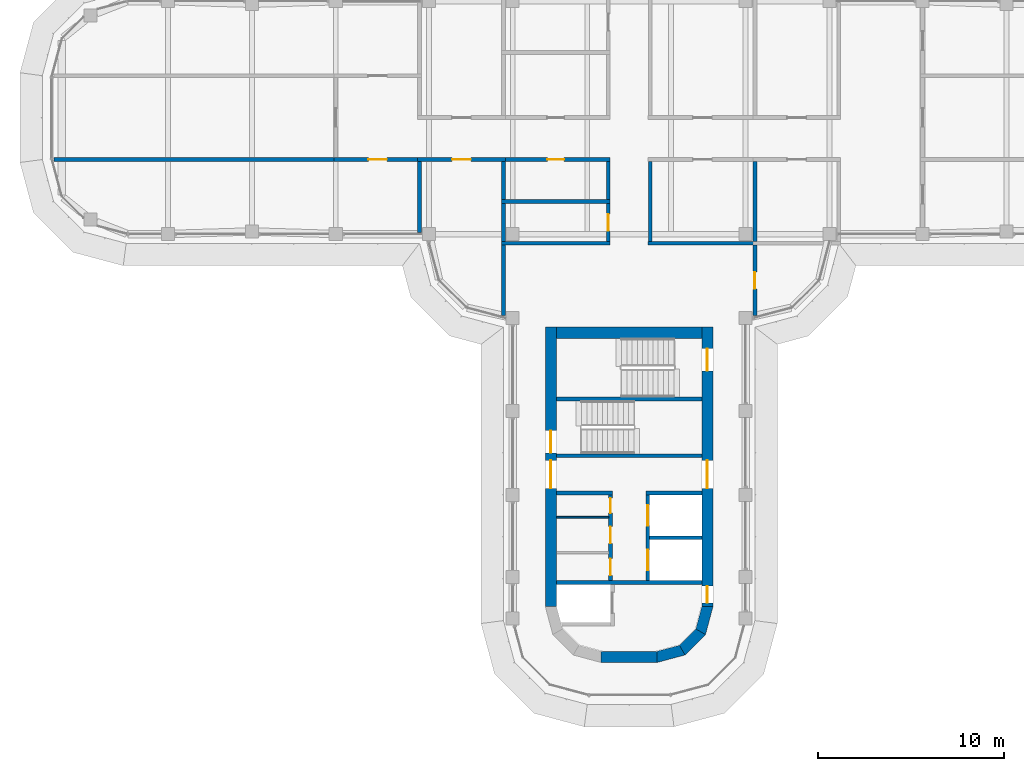
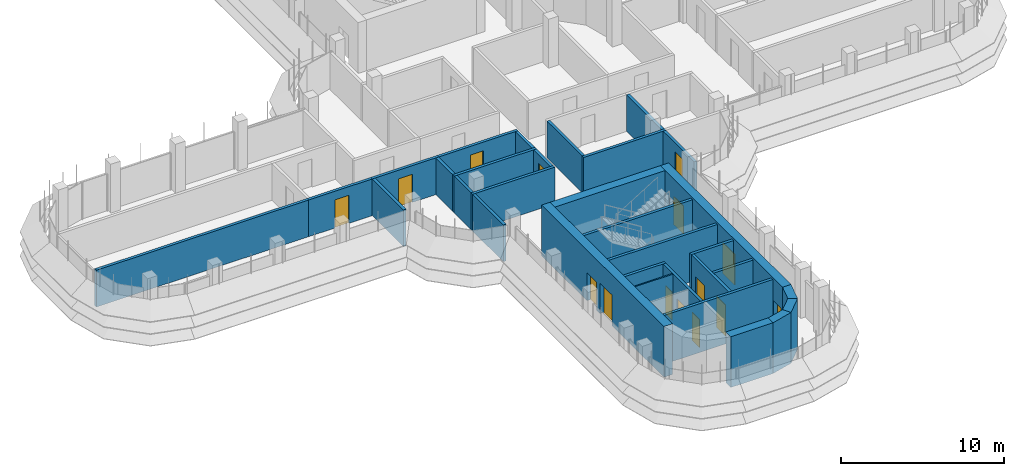
# One storey, part 13 of 19: 32 walls, 15 doors, 15 openings.
"""IFC4 building model written with IfcOpenShell, lengths in metres."""

from ifc_helpers import new_model, si_unit, direction, frame, frame_2d, origin, place, context, subcontext, project, spatial, polyline, rectangle, outline, extrude, material, layer, layer_set, type_object, element, fill, save


model = new_model("IFC4")

# Units and contexts
model_context = context("Model", 3, precision=1e-05, world=origin(), true_north=direction((0.0, 1.0)))
body_context = subcontext(model_context, "Body", "Model", "MODEL_VIEW")
ifc_project = project(units=[si_unit("LENGTHUNIT", "METRE"), si_unit("AREAUNIT", "SQUARE_METRE"), si_unit("VOLUMEUNIT", "CUBIC_METRE"), si_unit("PLANEANGLEUNIT", "RADIAN"), si_unit("MASSUNIT", "GRAM", prefix="KILO")], contexts=[model_context])

# Site, building, storey
site_placement = place(None, origin())
site = spatial("IfcSite", under=ifc_project, at=site_placement, CompositionType="ELEMENT")
building_placement = place(site_placement, origin())
building = spatial("IfcBuilding", under=site, at=building_placement, Name="Zarbagh Exchange Tower", CompositionType="ELEMENT")
storey_placement = place(building_placement, frame((0.0, 0.0, 195.39990234375)))
storey = spatial("IfcBuildingStorey", under=building, at=storey_placement, Name="L47", CompositionType="ELEMENT", Elevation=195.39990234375)

# Wall
ifc_material_1 = material(Name="Dense blockwork", Category="masonry")
ifc_layer_1 = layer(ifc_material_1, 0.10009765625)
ifc_layer_set_1 = layer_set([ifc_layer_1], Name="Core partition 100 mm blockwork")
wall_type_1 = type_object("IfcWallType", Name="Core partition 100 mm blockwork", PredefinedType="PARTITIONING", material=ifc_layer_set_1)
wall_1_placement = place(storey_placement, frame((-1.10009765625, -21.449951171875, 0.0), z_axis=(0.0, 0.0, 1.0), x_axis=(-1.0, 0.0, 0.0)))
element("IfcWall", 1, at=wall_1_placement, inside=storey, type_object=wall_type_1, Name="South core partition wall CUT-E-690", PredefinedType="PARTITIONING", context=body_context, shape_type="SweptSolid", body=[
    extrude(rectangle(XDim=2.7998046875, YDim=0.10009765625, at=frame_2d((1.39990234375, 0.0))), origin(), (0.0, 0.0, 1.0), 3.650146484375),
])

# Wall, opening, door
ifc_material_2 = material(Name="Fire-rated plasterboard partition")
ifc_layer_2 = layer(ifc_material_2, 0.199951171875)
ifc_layer_set_2 = layer_set([ifc_layer_2], Name="RATED PARTITION 200")
wall_type_2 = type_object("IfcWallType", Name="RATED PARTITION 200", PredefinedType="PARTITIONING", material=ifc_layer_set_2)
wall_2_placement = place(storey_placement, frame((-1.02490234375, -2.25, 0.0), z_axis=(0.0, 0.0, 1.0), x_axis=(-1.0, 0.0, 0.0)))
wall_2 = element("IfcWall", 2, at=wall_2_placement, inside=storey, type_object=wall_type_2, Name="Partition W-2107", PredefinedType="PARTITIONING", context=body_context, shape_type="SweptSolid", body=[
    extrude(rectangle(XDim=5.8251953125, YDim=0.199951171875, at=frame_2d((2.91259765625, 0.0))), origin(), (0.0, 0.0, 1.0), 2.75),
])
opening_1_placement = place(wall_2_placement, frame((2.46240234375, 0.0, 0.0)))
opening_1 = element("IfcOpeningElement", 3, at=opening_1_placement, cuts=wall_2, Name="Opening D-2112", PredefinedType="OPENING", context=body_context, shape_type="SweptSolid", body=[
    extrude(rectangle(XDim=0.89990234375, YDim=2.10009765625, at=frame_2d((0.449951171875, 1.050048828125))), frame((0.0, 0.10986328125, 0.0), z_axis=(0.0, -1.0, 0.0), x_axis=(1.0, 0.0, 0.0)), (0.0, 0.0, 1.0), 0.219970703125),
])
ifc_material_3 = material(Name="Timber door leaf", Category="wood")
door_type_1 = type_object("IfcDoorType", Name="DOOR 900 X 2100", OperationType="NOTDEFINED", PredefinedType="DOOR", material=ifc_material_3)
door_1_placement = place(opening_1_placement, origin())
door_1 = element("IfcDoor", 4, at=door_1_placement, inside=storey, type_object=door_type_1, Name="Door D-2112", OperationType="SINGLE_SWING_RIGHT", OverallHeight=2.10009765625, OverallWidth=0.89990234375, PredefinedType="DOOR", context=body_context, shape_type="SweptSolid", body=[
    extrude(rectangle(XDim=0.89990234375, YDim=2.10009765625, at=frame_2d((0.449951171875, 1.050048828125))), frame((0.0, 0.02490234375, 0.0), z_axis=(0.0, -1.0, 0.0), x_axis=(1.0, 0.0, 0.0)), (0.0, 0.0, 1.0), 0.050048828125),
])
fill(opening_1, door_1)

wall_3_placement = place(storey_placement, frame((-6.64990234375, -2.25, 0.0), z_axis=(0.0, 0.0, 1.0), x_axis=(-1.0, 0.0, 0.0)))
wall_3 = element("IfcWall", 5, at=wall_3_placement, inside=storey, type_object=wall_type_2, Name="Partition W-2108", PredefinedType="PARTITIONING", context=body_context, shape_type="SweptSolid", body=[
    extrude(rectangle(XDim=4.7001953125, YDim=0.199951171875, at=frame_2d((2.35009765625, 0.0))), origin(), (0.0, 0.0, 1.0), 2.75),
])
opening_2_placement = place(wall_3_placement, frame((1.85009765625, 0.0, 0.0)))
opening_2 = element("IfcOpeningElement", 6, at=opening_2_placement, cuts=wall_3, Name="Opening D-2114", PredefinedType="OPENING", context=body_context, shape_type="SweptSolid", body=[
    extrude(rectangle(XDim=1.0, YDim=2.10009765625, at=frame_2d((0.5, 1.050048828125))), frame((0.0, 0.10986328125, 0.0), z_axis=(0.0, -1.0, 0.0), x_axis=(1.0, 0.0, 0.0)), (0.0, 0.0, 1.0), 0.219970703125),
])
ifc_material_4 = material(Name="Steel door set", Category="steel")
door_type_2 = type_object("IfcDoorType", Name="FIRE DOOR 1000 X 2100 FD30S", OperationType="NOTDEFINED", PredefinedType="DOOR", material=ifc_material_4)
door_2_placement = place(opening_2_placement, origin())
door_2 = element("IfcDoor", 7, at=door_2_placement, inside=storey, type_object=door_type_2, Name="Door D-2114", OperationType="SINGLE_SWING_RIGHT", OverallHeight=2.10009765625, OverallWidth=1.0, PredefinedType="DOOR", context=body_context, shape_type="SweptSolid", body=[
    extrude(rectangle(XDim=1.0, YDim=2.10009765625, at=frame_2d((0.5, 1.050048828125))), frame((0.0, 0.02490234375, 0.0), z_axis=(0.0, -1.0, 0.0), x_axis=(1.0, 0.0, 0.0)), (0.0, 0.0, 1.0), 0.050048828125),
])
fill(opening_2, door_2)

# Walls
wall_4_placement = place(storey_placement, frame((1.125, -6.64990234375, 0.0), z_axis=(0.0, 0.0, 1.0), x_axis=(0.0, 1.0, 0.0)))
element("IfcWall", 8, at=wall_4_placement, inside=storey, type_object=wall_type_2, Name="Partition W-2112", PredefinedType="PARTITIONING", context=body_context, shape_type="SweptSolid", body=[
    extrude(rectangle(XDim=4.2998046875, YDim=0.199951171875, at=frame_2d((2.14990234375, 0.0))), origin(), (0.0, 0.0, 1.0), 2.75),
])
wall_5_placement = place(storey_placement, frame((-1.125, -4.39990234375, 0.0), z_axis=(0.0, 0.0, 1.0), x_axis=(0.0, 1.0, 0.0)))
element("IfcWall", 9, at=wall_5_placement, inside=storey, type_object=wall_type_2, Name="Partition W-2113", PredefinedType="PARTITIONING", context=body_context, shape_type="SweptSolid", body=[
    extrude(rectangle(XDim=2.0498046875, YDim=0.199951171875, at=frame_2d((1.02490234375, 0.0))), origin(), (0.0, 0.0, 1.0), 2.75),
])

# Wall, opening, door
wall_6_placement = place(storey_placement, frame((-1.125, -6.64990234375, 0.0), z_axis=(0.0, 0.0, 1.0), x_axis=(0.0, 1.0, 0.0)))
wall_6 = element("IfcWall", 10, at=wall_6_placement, inside=storey, type_object=wall_type_2, Name="Partition W-2114", PredefinedType="PARTITIONING", context=body_context, shape_type="SweptSolid", body=[
    extrude(rectangle(XDim=2.0498046875, YDim=0.199951171875, at=frame_2d((1.02490234375, 0.0))), origin(), (0.0, 0.0, 1.0), 2.75),
])
opening_3_placement = place(wall_6_placement, frame((0.574951171875, 0.0, 0.0)))
opening_3 = element("IfcOpeningElement", 11, at=opening_3_placement, cuts=wall_6, Name="Opening D-2113", PredefinedType="OPENING", context=body_context, shape_type="SweptSolid", body=[
    extrude(rectangle(XDim=0.89990234375, YDim=2.10009765625, at=frame_2d((0.449951171875, 1.050048828125))), frame((0.0, 0.10986328125, 0.0), z_axis=(0.0, -1.0, 0.0), x_axis=(1.0, 0.0, 0.0)), (0.0, 0.0, 1.0), 0.219970703125),
])
door_3_placement = place(opening_3_placement, origin())
door_3 = element("IfcDoor", 12, at=door_3_placement, inside=storey, type_object=door_type_1, Name="Door D-2113", OperationType="SINGLE_SWING_RIGHT", OverallHeight=2.10009765625, OverallWidth=0.89990234375, PredefinedType="DOOR", context=body_context, shape_type="SweptSolid", body=[
    extrude(rectangle(XDim=0.89990234375, YDim=2.10009765625, at=frame_2d((0.449951171875, 1.050048828125))), frame((0.0, 0.02490234375, 0.0), z_axis=(0.0, -1.0, 0.0), x_axis=(1.0, 0.0, 0.0)), (0.0, 0.0, 1.0), 0.050048828125),
])
fill(opening_3, door_3)

# Wall
wall_7_placement = place(storey_placement, frame((1.02490234375, -6.75, 0.0), z_axis=(0.0, 0.0, 1.0), x_axis=(1.0, 0.0, 0.0)))
element("IfcWall", 13, at=wall_7_placement, inside=storey, type_object=wall_type_2, Name="Partition W-2119", PredefinedType="PARTITIONING", context=body_context, shape_type="SweptSolid", body=[
    extrude(rectangle(XDim=5.8251953125, YDim=0.199951171875, at=frame_2d((2.91259765625, 0.0))), origin(), (0.0, 0.0, 1.0), 2.75),
])

# Wall, opening, door
wall_8_placement = place(storey_placement, frame((6.75, -6.85009765625, 0.0), z_axis=(0.0, 0.0, 1.0), x_axis=(0.0, -1.0, 0.0)))
wall_8 = element("IfcWall", 14, at=wall_8_placement, inside=storey, type_object=wall_type_2, Name="Partition W-2120", PredefinedType="PARTITIONING", context=body_context, shape_type="SweptSolid", body=[
    extrude(rectangle(XDim=3.77978515625, YDim=0.199951171875, at=frame_2d((1.889892578125, 0.0))), origin(), (0.0, 0.0, 1.0), 2.75),
])
opening_4_placement = place(wall_8_placement, frame((1.43994140625, 0.0, 0.0)))
opening_4 = element("IfcOpeningElement", 15, at=opening_4_placement, cuts=wall_8, Name="Opening D-2111", PredefinedType="OPENING", context=body_context, shape_type="SweptSolid", body=[
    extrude(rectangle(XDim=0.89990234375, YDim=2.10009765625, at=frame_2d((0.449951171875, 1.050048828125))), frame((0.0, 0.10986328125, 0.0), z_axis=(0.0, -1.0, 0.0), x_axis=(1.0, 0.0, 0.0)), (0.0, 0.0, 1.0), 0.219970703125),
])
door_4_placement = place(opening_4_placement, origin())
door_4 = element("IfcDoor", 16, at=door_4_placement, inside=storey, type_object=door_type_1, Name="Door D-2111", OperationType="SINGLE_SWING_LEFT", OverallHeight=2.10009765625, OverallWidth=0.89990234375, PredefinedType="DOOR", context=body_context, shape_type="SweptSolid", body=[
    extrude(rectangle(XDim=0.89990234375, YDim=2.10009765625, at=frame_2d((0.449951171875, 1.050048828125))), frame((0.0, 0.02490234375, 0.0), z_axis=(0.0, -1.0, 0.0), x_axis=(1.0, 0.0, 0.0)), (0.0, 0.0, 1.0), 0.050048828125),
])
fill(opening_4, door_4)

# Walls
wall_9_placement = place(storey_placement, frame((-6.85009765625, -6.75, 0.0), z_axis=(0.0, 0.0, 1.0), x_axis=(1.0, 0.0, 0.0)))
element("IfcWall", 17, at=wall_9_placement, inside=storey, type_object=wall_type_2, Name="Partition W-2121", PredefinedType="PARTITIONING", context=body_context, shape_type="SweptSolid", body=[
    extrude(rectangle(XDim=5.8251953125, YDim=0.199951171875, at=frame_2d((2.91259765625, 0.0))), origin(), (0.0, 0.0, 1.0), 2.75),
])
wall_10_placement = place(storey_placement, frame((-6.75, -10.6298828125, 0.0), z_axis=(0.0, 0.0, 1.0), x_axis=(0.0, 1.0, 0.0)))
element("IfcWall", 18, at=wall_10_placement, inside=storey, type_object=wall_type_2, Name="Partition W-2122", PredefinedType="PARTITIONING", context=body_context, shape_type="SweptSolid", body=[
    extrude(rectangle(XDim=3.77978515625, YDim=0.199951171875, at=frame_2d((1.889892578125, 0.0))), origin(), (0.0, 0.0, 1.0), 2.75),
])
wall_11_placement = place(storey_placement, frame((6.75, -6.64990234375, 0.0), z_axis=(0.0, 0.0, 1.0), x_axis=(0.0, 1.0, 0.0)))
element("IfcWall", 19, at=wall_11_placement, inside=storey, type_object=wall_type_2, Name="Partition W-2130", PredefinedType="PARTITIONING", context=body_context, shape_type="SweptSolid", body=[
    extrude(rectangle(XDim=4.2998046875, YDim=0.199951171875, at=frame_2d((2.14990234375, 0.0))), origin(), (0.0, 0.0, 1.0), 2.75),
])
wall_12_placement = place(storey_placement, frame((-6.85009765625, -4.5, 0.0), z_axis=(0.0, 0.0, 1.0), x_axis=(1.0, 0.0, 0.0)))
element("IfcWall", 20, at=wall_12_placement, inside=storey, type_object=wall_type_2, Name="Partition W-2133", PredefinedType="PARTITIONING", context=body_context, shape_type="SweptSolid", body=[
    extrude(rectangle(XDim=5.8251953125, YDim=0.199951171875, at=frame_2d((2.91259765625, 0.0))), origin(), (0.0, 0.0, 1.0), 2.75),
])
for number, where, z_axis, x_axis, name in (
    (21, (-6.75, -4.39990234375, 0.0), (0.0, 0.0, 1.0), (0.0, 1.0, 0.0), "Partition W-2134"),
    (22, (-6.75, -6.64990234375, 0.0), (0.0, 0.0, 1.0), (0.0, 1.0, 0.0), "Partition W-2135"),
):
    element("IfcWall", number, at=place(storey_placement, frame(where, z_axis=z_axis, x_axis=x_axis)), inside=storey, type_object=wall_type_2, Name=name, PredefinedType="PARTITIONING", context=body_context, shape_type="SweptSolid", body=[
        extrude(rectangle(XDim=2.0498046875, YDim=0.199951171875, at=frame_2d((1.02490234375, 0.0))), origin(), (0.0, 0.0, 1.0), 2.75),
    ])
wall_13_placement = place(storey_placement, frame((-11.25, -6.169921875, 0.0), z_axis=(0.0, 0.0, 1.0), x_axis=(0.0, 1.0, 0.0)))
element("IfcWall", 23, at=wall_13_placement, inside=storey, type_object=wall_type_2, Name="Partition W-2136", PredefinedType="PARTITIONING", context=body_context, shape_type="SweptSolid", body=[
    extrude(rectangle(XDim=3.81982421875, YDim=0.199951171875, at=frame_2d((1.909912109375, 0.0))), origin(), (0.0, 0.0, 1.0), 2.75),
])

# Wall, opening, door
wall_14_placement = place(storey_placement, frame((-11.14990234375, -2.25, 0.0), z_axis=(0.0, 0.0, 1.0), x_axis=(-1.0, 0.0, 0.0)))
wall_14 = element("IfcWall", 24, at=wall_14_placement, inside=storey, type_object=wall_type_2, Name="Partition W-2145", PredefinedType="PARTITIONING", context=body_context, shape_type="SweptSolid", body=[
    extrude(rectangle(XDim=4.7001953125, YDim=0.199951171875, at=frame_2d((2.35009765625, 0.0))), origin(), (0.0, 0.0, 1.0), 2.75),
])
opening_5_placement = place(wall_14_placement, frame((1.85009765625, 0.0, 0.0)))
opening_5 = element("IfcOpeningElement", 25, at=opening_5_placement, cuts=wall_14, Name="Opening D-2117", PredefinedType="OPENING", context=body_context, shape_type="SweptSolid", body=[
    extrude(rectangle(XDim=1.0, YDim=2.10009765625, at=frame_2d((0.5, 1.050048828125))), frame((0.0, 0.10986328125, 0.0), z_axis=(0.0, -1.0, 0.0), x_axis=(1.0, 0.0, 0.0)), (0.0, 0.0, 1.0), 0.219970703125),
])
door_5_placement = place(opening_5_placement, origin())
door_5 = element("IfcDoor", 26, at=door_5_placement, inside=storey, type_object=door_type_2, Name="Door D-2117", OperationType="SINGLE_SWING_RIGHT", OverallHeight=2.10009765625, OverallWidth=1.0, PredefinedType="DOOR", context=body_context, shape_type="SweptSolid", body=[
    extrude(rectangle(XDim=1.0, YDim=2.10009765625, at=frame_2d((0.5, 1.050048828125))), frame((0.0, 0.02490234375, 0.0), z_axis=(0.0, -1.0, 0.0), x_axis=(1.0, 0.0, 0.0)), (0.0, 0.0, 1.0), 0.050048828125),
])
fill(opening_5, door_5)

# Walls
wall_15_placement = place(storey_placement, frame((-30.8798828125, -2.25, 0.0), z_axis=(0.0, 0.0, 1.0), x_axis=(1.0, 0.0, 0.0)))
element("IfcWall", 27, at=wall_15_placement, inside=storey, type_object=wall_type_2, Name="Partition W-2148", PredefinedType="PARTITIONING", context=body_context, shape_type="SweptSolid", body=[
    extrude(rectangle(XDim=15.22998046875, YDim=0.199951171875, at=frame_2d((7.614990234375, 0.0))), origin(), (0.0, 0.0, 1.0), 2.75),
])
ifc_material_5 = material(Name="Concrete C50/60", Category="concrete")
ifc_layer_3 = layer(ifc_material_5, 0.60009765625)
ifc_layer_set_3 = layer_set([ifc_layer_3], Name="RC core corner wall 600 C50/60")
wall_type_3 = type_object("IfcWallType", Name="RC core corner wall 600 C50/60", PredefinedType="SHEAR", material=ifc_layer_set_3)
wall_16_placement = place(storey_placement, origin())
element("IfcWall", 28, at=wall_16_placement, inside=storey, type_object=wall_type_3, Name="CW8 core S corner E", PredefinedType="SHEAR", context=body_context, shape_type="SweptSolid", body=[
    extrude(outline(polyline([(4.5, -26.25), (4.09814453125, -27.75), (3.57861328125, -27.449951171875), (3.89990234375, -26.25), (4.5, -26.25)])), origin(), (0.0, 0.0, 1.0), 3.800048828125),
])
wall_17_placement = place(storey_placement, origin())
element("IfcWall", 29, at=wall_17_placement, inside=storey, type_object=wall_type_3, Name="CW8 core S corner E", PredefinedType="SHEAR", context=body_context, shape_type="SweptSolid", body=[
    extrude(outline(polyline([(4.09814453125, -27.75), (3.0, -28.84814453125), (2.699951171875, -28.32861328125), (3.57861328125, -27.449951171875), (4.09814453125, -27.75)])), origin(), (0.0, 0.0, 1.0), 3.800048828125),
])
wall_18_placement = place(storey_placement, origin())
element("IfcWall", 30, at=wall_18_placement, inside=storey, type_object=wall_type_3, Name="CW8 core S corner E", PredefinedType="SHEAR", context=body_context, shape_type="SweptSolid", body=[
    extrude(outline(polyline([(3.0, -28.84814453125), (1.5, -29.25), (1.5, -28.64990234375), (2.699951171875, -28.32861328125), (3.0, -28.84814453125)])), origin(), (0.0, 0.0, 1.0), 3.800048828125),
])

# Wall, openings, doors
ifc_layer_4 = layer(ifc_material_5, 0.60009765625)
ifc_layer_set_4 = layer_set([ifc_layer_4], Name="RC core wall 600 C50/60")
wall_type_4 = type_object("IfcWallType", Name="RC core wall 600 C50/60", PredefinedType="SHEAR", material=ifc_layer_set_4)
wall_19_placement = place(storey_placement, frame((-4.199951171875, -11.25, 0.0), z_axis=(0.0, 0.0, 1.0), x_axis=(0.0, -1.0, 0.0)))
wall_19 = element("IfcWall", 31, at=wall_19_placement, inside=storey, type_object=wall_type_4, Name="CW7 core S W", PredefinedType="SHEAR", context=body_context, shape_type="SweptSolid", body=[
    extrude(rectangle(XDim=15.0, YDim=0.60009765625, at=frame_2d((7.5, 0.0))), origin(), (0.0, 0.0, 1.0), 3.800048828125),
])
opening_6_placement = place(wall_19_placement, frame((7.14990234375, 0.0, 0.0)))
opening_6 = element("IfcOpeningElement", 32, at=opening_6_placement, cuts=wall_19, Name="Opening CD1-1500", PredefinedType="OPENING", context=body_context, shape_type="SweptSolid", body=[
    extrude(rectangle(XDim=1.5, YDim=2.300048828125, at=frame_2d((0.75, 1.14990234375))), frame((0.0, 0.31005859375, 0.0), z_axis=(0.0, -1.0, 0.0), x_axis=(1.0, 0.0, 0.0)), (0.0, 0.0, 1.0), 0.6201171875),
])
opening_7_placement = place(wall_19_placement, frame((5.550048828125, 0.0, 0.0)))
opening_7 = element("IfcOpeningElement", 33, at=opening_7_placement, cuts=wall_19, Name="Opening SD1-1200", PredefinedType="OPENING", context=body_context, shape_type="SweptSolid", body=[
    extrude(rectangle(XDim=1.199951171875, YDim=2.10009765625, at=frame_2d((0.60009765625, 1.050048828125))), frame((0.0, 0.31005859375, 0.0), z_axis=(0.0, -1.0, 0.0), x_axis=(1.0, 0.0, 0.0)), (0.0, 0.0, 1.0), 0.6201171875),
])
ifc_material_6 = material(Name="Steel", Category="steel")
door_type_3 = type_object("IfcDoorType", Name="Exit stair door 1200 x 2100", OperationType="NOTDEFINED", PredefinedType="DOOR", material=ifc_material_6)
door_6_placement = place(opening_7_placement, origin())
door_6 = element("IfcDoor", 34, at=door_6_placement, inside=storey, type_object=door_type_3, Name="South core stair door ST1", OperationType="SINGLE_SWING_LEFT", OverallHeight=2.10009765625, OverallWidth=1.199951171875, PredefinedType="DOOR", context=body_context, shape_type="SweptSolid", body=[
    extrude(rectangle(XDim=1.199951171875, YDim=2.10009765625, at=frame_2d((0.60009765625, 1.050048828125))), frame((0.0, 0.02490234375, 0.0), z_axis=(0.0, -1.0, 0.0), x_axis=(1.0, 0.0, 0.0)), (0.0, 0.0, 1.0), 0.050048828125),
])
fill(opening_7, door_6)
door_type_4 = type_object("IfcDoorType", Name="Lift lobby double door 1500 x 2300", OperationType="NOTDEFINED", PredefinedType="DOOR", material=ifc_material_6)
door_7_placement = place(opening_6_placement, origin())
door_7 = element("IfcDoor", 35, at=door_7_placement, inside=storey, type_object=door_type_4, Name="South core lift lobby door LOBBY-E", OperationType="DOUBLE_DOOR_SINGLE_SWING", OverallHeight=2.300048828125, OverallWidth=1.5, PredefinedType="DOOR", context=body_context, shape_type="SweptSolid", body=[
    extrude(rectangle(XDim=1.5, YDim=2.300048828125, at=frame_2d((0.75, 1.14990234375))), frame((0.0, 0.02490234375, 0.0), z_axis=(0.0, -1.0, 0.0), x_axis=(1.0, 0.0, 0.0)), (0.0, 0.0, 1.0), 0.050048828125),
])
fill(opening_6, door_7)

wall_20_placement = place(storey_placement, frame((4.199951171875, -11.25, 0.0), z_axis=(0.0, 0.0, 1.0), x_axis=(0.0, -1.0, 0.0)))
wall_20 = element("IfcWall", 36, at=wall_20_placement, inside=storey, type_object=wall_type_4, Name="CW7 core S E", PredefinedType="SHEAR", context=body_context, shape_type="SweptSolid", body=[
    extrude(rectangle(XDim=15.0, YDim=0.60009765625, at=frame_2d((7.5, 0.0))), origin(), (0.0, 0.0, 1.0), 3.800048828125),
])
opening_8_placement = place(wall_20_placement, frame((7.14990234375, 0.0, 0.0)))
opening_8 = element("IfcOpeningElement", 37, at=opening_8_placement, cuts=wall_20, Name="Opening CD1-1500", PredefinedType="OPENING", context=body_context, shape_type="SweptSolid", body=[
    extrude(rectangle(XDim=1.5, YDim=2.300048828125, at=frame_2d((0.75, 1.14990234375))), frame((0.0, 0.31005859375, 0.0), z_axis=(0.0, -1.0, 0.0), x_axis=(1.0, 0.0, 0.0)), (0.0, 0.0, 1.0), 0.6201171875),
])
opening_9_placement = place(wall_20_placement, frame((13.89990234375, 0.0, 0.0)))
opening_9 = element("IfcOpeningElement", 38, at=opening_9_placement, cuts=wall_20, Name="Opening CD2-900", PredefinedType="OPENING", context=body_context, shape_type="SweptSolid", body=[
    extrude(rectangle(XDim=0.89990234375, YDim=2.10009765625, at=frame_2d((0.449951171875, 1.050048828125))), frame((0.0, 0.31005859375, 0.0), z_axis=(0.0, -1.0, 0.0), x_axis=(1.0, 0.0, 0.0)), (0.0, 0.0, 1.0), 0.6201171875),
])
opening_10_placement = place(wall_20_placement, frame((1.14990234375, 0.0, 0.0)))
opening_10 = element("IfcOpeningElement", 39, at=opening_10_placement, cuts=wall_20, Name="Opening SD1-1200", PredefinedType="OPENING", context=body_context, shape_type="SweptSolid", body=[
    extrude(rectangle(XDim=1.199951171875, YDim=2.10009765625, at=frame_2d((0.60009765625, 1.050048828125))), frame((0.0, 0.31005859375, 0.0), z_axis=(0.0, -1.0, 0.0), x_axis=(1.0, 0.0, 0.0)), (0.0, 0.0, 1.0), 0.6201171875),
])
door_8_placement = place(opening_10_placement, origin())
door_8 = element("IfcDoor", 40, at=door_8_placement, inside=storey, type_object=door_type_3, Name="South core stair door ST2", OperationType="SINGLE_SWING_LEFT", OverallHeight=2.10009765625, OverallWidth=1.199951171875, PredefinedType="DOOR", context=body_context, shape_type="SweptSolid", body=[
    extrude(rectangle(XDim=1.199951171875, YDim=2.10009765625, at=frame_2d((0.60009765625, 1.050048828125))), frame((0.0, 0.02490234375, 0.0), z_axis=(0.0, -1.0, 0.0), x_axis=(1.0, 0.0, 0.0)), (0.0, 0.0, 1.0), 0.050048828125),
])
fill(opening_10, door_8)
door_type_5 = type_object("IfcDoorType", Name="Firefighting lobby door 900 x 2100", OperationType="NOTDEFINED", PredefinedType="DOOR", material=ifc_material_6)
door_9_placement = place(opening_9_placement, origin())
door_9 = element("IfcDoor", 41, at=door_9_placement, inside=storey, type_object=door_type_5, Name="South core firefighting lobby door FF-W", OperationType="SINGLE_SWING_LEFT", OverallHeight=2.10009765625, OverallWidth=0.89990234375, PredefinedType="DOOR", context=body_context, shape_type="SweptSolid", body=[
    extrude(rectangle(XDim=0.89990234375, YDim=2.10009765625, at=frame_2d((0.449951171875, 1.050048828125))), frame((0.0, 0.02490234375, 0.0), z_axis=(0.0, -1.0, 0.0), x_axis=(1.0, 0.0, 0.0)), (0.0, 0.0, 1.0), 0.050048828125),
])
fill(opening_9, door_9)
door_10_placement = place(opening_8_placement, origin())
door_10 = element("IfcDoor", 42, at=door_10_placement, inside=storey, type_object=door_type_4, Name="South core lift lobby door LOBBY-W", OperationType="DOUBLE_DOOR_SINGLE_SWING", OverallHeight=2.300048828125, OverallWidth=1.5, PredefinedType="DOOR", context=body_context, shape_type="SweptSolid", body=[
    extrude(rectangle(XDim=1.5, YDim=2.300048828125, at=frame_2d((0.75, 1.14990234375))), frame((0.0, 0.02490234375, 0.0), z_axis=(0.0, -1.0, 0.0), x_axis=(1.0, 0.0, 0.0)), (0.0, 0.0, 1.0), 0.050048828125),
])
fill(opening_8, door_10)

# Walls
wall_21_placement = place(storey_placement, frame((-3.89990234375, -11.550048828125, 0.0), z_axis=(0.0, 0.0, 1.0), x_axis=(1.0, 0.0, 0.0)))
element("IfcWall", 43, at=wall_21_placement, inside=storey, type_object=wall_type_4, Name="CW7 core S inner end", PredefinedType="SHEAR", context=body_context, shape_type="SweptSolid", body=[
    extrude(rectangle(XDim=7.7998046875, YDim=0.60009765625, at=frame_2d((3.89990234375, 0.0))), origin(), (0.0, 0.0, 1.0), 3.800048828125),
])
wall_22_placement = place(storey_placement, frame((-1.5, -28.949951171875, 0.0), z_axis=(0.0, 0.0, 1.0), x_axis=(1.0, 0.0, 0.0)))
element("IfcWall", 44, at=wall_22_placement, inside=storey, type_object=wall_type_4, Name="CW7 core S outer end", PredefinedType="SHEAR", context=body_context, shape_type="SweptSolid", body=[
    extrude(rectangle(XDim=3.0, YDim=0.60009765625, at=frame_2d((1.5, 0.0))), origin(), (0.0, 0.0, 1.0), 3.800048828125),
])
ifc_layer_5 = layer(ifc_material_1, 0.199951171875)
ifc_layer_set_5 = layer_set([ifc_layer_5], Name="Shaft wall 200 mm blockwork")
wall_type_5 = type_object("IfcWallType", Name="Shaft wall 200 mm blockwork", PredefinedType="PARTITIONING", material=ifc_layer_set_5)
wall_23_placement = place(storey_placement, frame((3.89990234375, -20.14990234375, 0.0), z_axis=(0.0, 0.0, 1.0), x_axis=(-1.0, 0.0, 0.0)))
element("IfcWall", 45, at=wall_23_placement, inside=storey, type_object=wall_type_5, Name="South core shaft wall AB-W", PredefinedType="PARTITIONING", context=body_context, shape_type="SweptSolid", body=[
    extrude(rectangle(XDim=3.0, YDim=0.199951171875, at=frame_2d((1.5, 0.0))), origin(), (0.0, 0.0, 1.0), 3.650146484375),
])

# Wall, openings, doors
wall_24_placement = place(storey_placement, frame((1.0, -24.85009765625, 0.0), z_axis=(0.0, 0.0, 1.0), x_axis=(0.0, 1.0, 0.0)))
wall_24 = element("IfcWall", 46, at=wall_24_placement, inside=storey, type_object=wall_type_5, Name="South core shaft wall LW-W", PredefinedType="PARTITIONING", context=body_context, shape_type="SweptSolid", body=[
    extrude(rectangle(XDim=4.60009765625, YDim=0.199951171875, at=frame_2d((2.300048828125, 0.0))), origin(), (0.0, 0.0, 1.0), 3.650146484375),
])
opening_11_placement = place(wall_24_placement, frame((0.550048828125, 0.0, 0.0)))
opening_11 = element("IfcOpeningElement", 47, at=opening_11_placement, cuts=wall_24, Name="Opening LD-1100", PredefinedType="OPENING", context=body_context, shape_type="SweptSolid", body=[
    extrude(rectangle(XDim=1.10009765625, YDim=2.300048828125, at=frame_2d((0.550048828125, 1.14990234375))), frame((0.0, 0.10986328125, 0.0), z_axis=(0.0, -1.0, 0.0), x_axis=(1.0, 0.0, 0.0)), (0.0, 0.0, 1.0), 0.219970703125),
])
opening_12_placement = place(wall_24_placement, frame((2.949951171875, 0.0, 0.0)))
opening_12 = element("IfcOpeningElement", 48, at=opening_12_placement, cuts=wall_24, Name="Opening LD-1100", PredefinedType="OPENING", context=body_context, shape_type="SweptSolid", body=[
    extrude(rectangle(XDim=1.10009765625, YDim=2.300048828125, at=frame_2d((0.550048828125, 1.14990234375))), frame((0.0, 0.10986328125, 0.0), z_axis=(0.0, -1.0, 0.0), x_axis=(1.0, 0.0, 0.0)), (0.0, 0.0, 1.0), 0.219970703125),
])
ifc_material_7 = material(Name="Stainless steel", Category="steel")
door_type_6 = type_object("IfcDoorType", Name="Lift landing door 1100 x 2300", OperationType="NOTDEFINED", PredefinedType="DOOR", material=ifc_material_7)
door_11_placement = place(opening_11_placement, origin())
door_11 = element("IfcDoor", 49, at=door_11_placement, inside=storey, type_object=door_type_6, Name="South core lift landing door LD-P-S1", OperationType="DOUBLE_DOOR_SLIDING", OverallHeight=2.300048828125, OverallWidth=1.10009765625, PredefinedType="DOOR", context=body_context, shape_type="SweptSolid", body=[
    extrude(rectangle(XDim=1.10009765625, YDim=2.300048828125, at=frame_2d((0.550048828125, 1.14990234375))), frame((0.0, 0.02490234375, 0.0), z_axis=(0.0, -1.0, 0.0), x_axis=(1.0, 0.0, 0.0)), (0.0, 0.0, 1.0), 0.050048828125),
])
fill(opening_11, door_11)
door_12_placement = place(opening_12_placement, origin())
door_12 = element("IfcDoor", 50, at=door_12_placement, inside=storey, type_object=door_type_6, Name="South core lift landing door LD-P-S2", OperationType="DOUBLE_DOOR_SLIDING", OverallHeight=2.300048828125, OverallWidth=1.10009765625, PredefinedType="DOOR", context=body_context, shape_type="SweptSolid", body=[
    extrude(rectangle(XDim=1.10009765625, YDim=2.300048828125, at=frame_2d((0.550048828125, 1.14990234375))), frame((0.0, 0.02490234375, 0.0), z_axis=(0.0, -1.0, 0.0), x_axis=(1.0, 0.0, 0.0)), (0.0, 0.0, 1.0), 0.050048828125),
])
fill(opening_12, door_12)

# Wall
wall_25_placement = place(storey_placement, frame((-0.89990234375, -20.14990234375, 0.0), z_axis=(0.0, 0.0, 1.0), x_axis=(-1.0, 0.0, 0.0)))
element("IfcWall", 51, at=wall_25_placement, inside=storey, type_object=wall_type_5, Name="South core shaft wall AB-E", PredefinedType="PARTITIONING", context=body_context, shape_type="SweptSolid", body=[
    extrude(rectangle(XDim=3.0, YDim=0.199951171875, at=frame_2d((1.5, 0.0))), origin(), (0.0, 0.0, 1.0), 3.650146484375),
])

# Wall, openings, doors
wall_26_placement = place(storey_placement, frame((-1.0, -24.85009765625, 0.0), z_axis=(0.0, 0.0, 1.0), x_axis=(0.0, 1.0, 0.0)))
wall_26 = element("IfcWall", 52, at=wall_26_placement, inside=storey, type_object=wall_type_5, Name="South core shaft wall LW-E", PredefinedType="PARTITIONING", context=body_context, shape_type="SweptSolid", body=[
    extrude(rectangle(XDim=4.60009765625, YDim=0.199951171875, at=frame_2d((2.300048828125, 0.0))), origin(), (0.0, 0.0, 1.0), 3.650146484375),
])
opening_13_placement = place(wall_26_placement, frame((0.27490234375, 0.0, 0.0)))
opening_13 = element("IfcOpeningElement", 53, at=opening_13_placement, cuts=wall_26, Name="Opening CD3-900", PredefinedType="OPENING", context=body_context, shape_type="SweptSolid", body=[
    extrude(rectangle(XDim=0.89990234375, YDim=2.10009765625, at=frame_2d((0.449951171875, 1.050048828125))), frame((0.0, 0.10986328125, 0.0), z_axis=(0.0, -1.0, 0.0), x_axis=(1.0, 0.0, 0.0)), (0.0, 0.0, 1.0), 0.219970703125),
])
opening_14_placement = place(wall_26_placement, frame((2.0, 0.0, 0.0)))
opening_14 = element("IfcOpeningElement", 54, at=opening_14_placement, cuts=wall_26, Name="Opening CD3-900", PredefinedType="OPENING", context=body_context, shape_type="SweptSolid", body=[
    extrude(rectangle(XDim=0.89990234375, YDim=2.10009765625, at=frame_2d((0.449951171875, 1.050048828125))), frame((0.0, 0.10986328125, 0.0), z_axis=(0.0, -1.0, 0.0), x_axis=(1.0, 0.0, 0.0)), (0.0, 0.0, 1.0), 0.219970703125),
])
opening_15_placement = place(wall_26_placement, frame((3.625, 0.0, 0.0)))
opening_15 = element("IfcOpeningElement", 55, at=opening_15_placement, cuts=wall_26, Name="Opening CD3-800", PredefinedType="OPENING", context=body_context, shape_type="SweptSolid", body=[
    extrude(rectangle(XDim=0.800048828125, YDim=2.10009765625, at=frame_2d((0.39990234375, 1.050048828125))), frame((0.0, 0.10986328125, 0.0), z_axis=(0.0, -1.0, 0.0), x_axis=(1.0, 0.0, 0.0)), (0.0, 0.0, 1.0), 0.219970703125),
])
door_type_7 = type_object("IfcDoorType", Name="Core room door 800 x 2100", OperationType="NOTDEFINED", PredefinedType="DOOR", material=ifc_material_6)
door_13_placement = place(opening_15_placement, origin())
door_13 = element("IfcDoor", 56, at=door_13_placement, inside=storey, type_object=door_type_7, Name="South core IT room door RD-E-2", OperationType="SINGLE_SWING_RIGHT", OverallHeight=2.10009765625, OverallWidth=0.800048828125, PredefinedType="DOOR", context=body_context, shape_type="SweptSolid", body=[
    extrude(rectangle(XDim=0.800048828125, YDim=2.10009765625, at=frame_2d((0.39990234375, 1.050048828125))), frame((0.0, 0.02490234375, 0.0), z_axis=(0.0, -1.0, 0.0), x_axis=(1.0, 0.0, 0.0)), (0.0, 0.0, 1.0), 0.050048828125),
])
fill(opening_15, door_13)
door_type_8 = type_object("IfcDoorType", Name="Core room door 900 x 2100", OperationType="NOTDEFINED", PredefinedType="DOOR", material=ifc_material_6)
door_14_placement = place(opening_13_placement, origin())
door_14 = element("IfcDoor", 57, at=door_14_placement, inside=storey, type_object=door_type_8, Name="South core Cleaner's store door RD-E-0", OperationType="SINGLE_SWING_RIGHT", OverallHeight=2.10009765625, OverallWidth=0.89990234375, PredefinedType="DOOR", context=body_context, shape_type="SweptSolid", body=[
    extrude(rectangle(XDim=0.89990234375, YDim=2.10009765625, at=frame_2d((0.449951171875, 1.050048828125))), frame((0.0, 0.02490234375, 0.0), z_axis=(0.0, -1.0, 0.0), x_axis=(1.0, 0.0, 0.0)), (0.0, 0.0, 1.0), 0.050048828125),
])
fill(opening_13, door_14)
door_15_placement = place(opening_14_placement, origin())
door_15 = element("IfcDoor", 58, at=door_15_placement, inside=storey, type_object=door_type_8, Name="South core Pantry door RD-E-1", OperationType="SINGLE_SWING_RIGHT", OverallHeight=2.10009765625, OverallWidth=0.89990234375, PredefinedType="DOOR", context=body_context, shape_type="SweptSolid", body=[
    extrude(rectangle(XDim=0.89990234375, YDim=2.10009765625, at=frame_2d((0.449951171875, 1.050048828125))), frame((0.0, 0.02490234375, 0.0), z_axis=(0.0, -1.0, 0.0), x_axis=(1.0, 0.0, 0.0)), (0.0, 0.0, 1.0), 0.050048828125),
])
fill(opening_14, door_15)

# Walls
wall_27_placement = place(storey_placement, frame((3.89990234375, -22.550048828125, 0.0), z_axis=(0.0, 0.0, 1.0), x_axis=(-1.0, 0.0, 0.0)))
element("IfcWall", 59, at=wall_27_placement, inside=storey, type_object=wall_type_5, Name="South core shaft wall TR-W", PredefinedType="PARTITIONING", context=body_context, shape_type="SweptSolid", body=[
    extrude(rectangle(XDim=2.7998046875, YDim=0.199951171875, at=frame_2d((1.39990234375, 0.0))), origin(), (0.0, 0.0, 1.0), 3.650146484375),
])
ifc_material_8 = material(Name="Concrete C40/50", Category="concrete")
ifc_layer_6 = layer(ifc_material_8, 0.199951171875)
ifc_layer_set_6 = layer_set([ifc_layer_6], Name="Stair enclosure wall 200 mm RC C40/50")
wall_type_6 = type_object("IfcWallType", Name="Stair enclosure wall 200 mm RC C40/50", PredefinedType="SHEAR", material=ifc_layer_set_6)
for number, where, z_axis, x_axis, name in (
    (60, (3.89990234375, -24.949951171875, 0.0), (0.0, 0.0, 1.0), (-1.0, 0.0, 0.0), "South core lift shaft wall FFA"),
    (61, (3.89990234375, -18.14990234375, 0.0), (0.0, 0.0, 1.0), (-1.0, 0.0, 0.0), "South core stair wall BS"),
    (62, (3.89990234375, -15.10009765625, 0.0), (0.0, 0.0, 1.0), (-1.0, 0.0, 0.0), "South core stair wall ST12"),
):
    element("IfcWall", number, at=place(storey_placement, frame(where, z_axis=z_axis, x_axis=x_axis)), inside=storey, type_object=wall_type_6, Name=name, PredefinedType="SHEAR", context=body_context, shape_type="SweptSolid", body=[
        extrude(rectangle(XDim=7.7998046875, YDim=0.199951171875, at=frame_2d((3.89990234375, 0.0))), origin(), (0.0, 0.0, 1.0), 3.650146484375),
    ])

save(model, "model.ifc")
